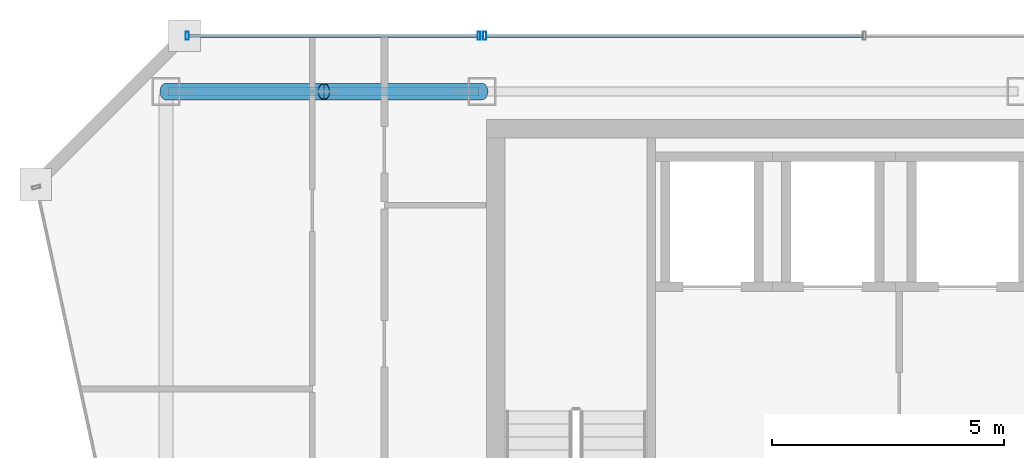
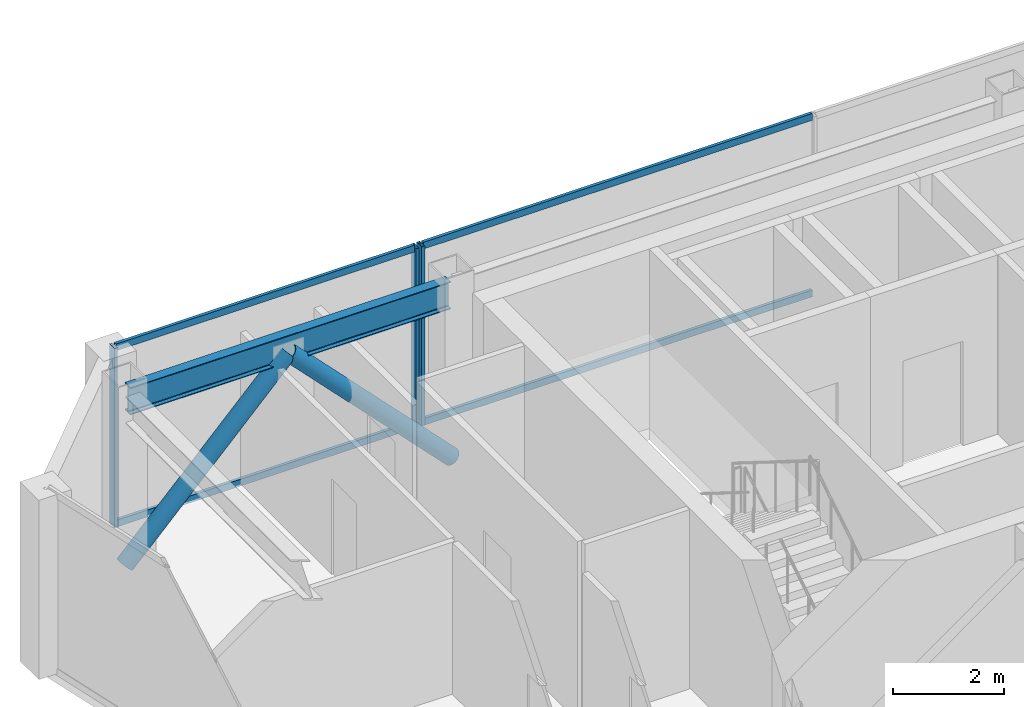
# One storey, part 6 of 20: 9 members, 1 beam, 2 elements without a shape of their own.
"""IFC4 building model written with IfcOpenShell, lengths in metres."""

from ifc_helpers import new_model, si_unit, direction, frame, origin, origin_2d, place, context, subcontext, project, spatial, hollow_rectangle, hollow_circle, i_section, extrude, material, material_profile, profile_set, type_object, element, aggregate, save


model = new_model("IFC4")

# Units and contexts
model_context = context("Model", 3, precision=1e-05, world=origin(), true_north=direction((0.0, 1.0)))
body_context = subcontext(model_context, "Body", "Model", "MODEL_VIEW")
ifc_project = project(units=[si_unit("LENGTHUNIT", "METRE"), si_unit("AREAUNIT", "SQUARE_METRE"), si_unit("VOLUMEUNIT", "CUBIC_METRE"), si_unit("PLANEANGLEUNIT", "RADIAN"), si_unit("MASSUNIT", "GRAM", prefix="KILO")], contexts=[model_context])

# Site, building, storey
site_placement = place(None, origin())
site = spatial("IfcSite", under=ifc_project, at=site_placement, CompositionType="ELEMENT")
building_placement = place(site_placement, origin())
building = spatial("IfcBuilding", under=site, at=building_placement, Name="Saevonmaru Cultural Tower", CompositionType="ELEMENT")
storey_placement = place(building_placement, frame((0.0, 0.0, 319.199951171875)))
storey = spatial("IfcBuildingStorey", under=building, at=storey_placement, Name="L76", CompositionType="ELEMENT", Elevation=319.199951171875)

# Beam
ifc_material_1 = material(Name="Steel SM355", Category="steel")
ifc_material_profile_1 = material_profile(ifc_material_1, i_section(OverallWidth=0.199951171875, OverallDepth=0.60009765625, WebThickness=0.010986328125, FlangeThickness=0.01708984375, FilletRadius=0.02197265625, at=origin_2d()), Name="H-600x200x11x17")
ifc_profile_set_1 = profile_set([ifc_material_profile_1], Name="Steel SM355")
beam_type = type_object("IfcBeamType", Name="BM-SP-H600", PredefinedType="SPANDREL", material=ifc_profile_set_1)
beam_placement = place(storey_placement, frame((6.860107421875, 54.800048828125, 3.650146484375), z_axis=(1.0, 0.0, 0.0), x_axis=(0.0, 1.0, 0.0)))
element("IfcBeam", 1, at=beam_placement, inside=storey, type_object=beam_type, Name="L76 North Spine Girder 1", PredefinedType="SPANDREL", context=body_context, shape_type="SweptSolid", body=[
    extrude(i_section(OverallWidth=0.199951171875, OverallDepth=0.60009765625, WebThickness=0.010986328125, FlangeThickness=0.01708984375, FilletRadius=0.02197265625, at=origin_2d()), origin(), (0.0, 0.0, 1.0), 6.679931640625),
])

# Members
ifc_material_profile_2 = material_profile(ifc_material_1, hollow_circle(Radius=0.177734375, WallThickness=0.01611328125, at=origin_2d()), Name="CHS-355.6x16")
ifc_profile_set_2 = profile_set([ifc_material_profile_2], Name="Steel SM355")
member_type_1 = type_object("IfcMemberType", Name="MB-PBR-CHS356", PredefinedType="BRACE", material=ifc_profile_set_2)
member_1_placement = place(storey_placement, frame((6.800048828125, 54.800048828125, 0.02001953125), z_axis=(0.696775387372, 0.0, 0.71728938341), x_axis=(0.0, 1.0, 0.0)))
element("IfcMember", 2, at=member_1_placement, inside=storey, type_object=member_type_1, Name="L76 Perimeter Braced-Tube Diagonal WN1", PredefinedType="BRACE", context=body_context, shape_type="SweptSolid", body=[
    extrude(hollow_circle(Radius=0.177734375, WallThickness=0.01611328125, at=origin_2d()), origin(), (0.0, 0.0, 1.0), 4.87939453125),
])
member_2_placement = place(storey_placement, frame((13.60009765625, 54.800048828125, 0.02001953125), z_axis=(-0.696801128792, 0.0, 0.717264377279), x_axis=(0.0, -1.0, 0.0)))
element("IfcMember", 3, at=member_2_placement, inside=storey, type_object=member_type_1, Name="L76 Perimeter Braced-Tube Diagonal WN2", PredefinedType="BRACE", context=body_context, shape_type="SweptSolid", body=[
    extrude(hollow_circle(Radius=0.177734375, WallThickness=0.01611328125, at=origin_2d()), origin(), (0.0, 0.0, 1.0), 4.879638671875),
])

# Curtain wall, member
ifc_material_2 = material(Name="Satin Bronze Anodised Aluminium", Category="aluminium")
curtain_wall_type = type_object("IfcCurtainWallType", Name="CW-SKY-GLZ", PredefinedType="NOTDEFINED", material=ifc_material_2)
curtain_wall_1_placement = place(storey_placement, origin())
curtain_wall_1 = element("IfcCurtainWall", 4, at=curtain_wall_1_placement, inside=storey, type_object=curtain_wall_type, Name="L76 North Spine Unitised Curtain Wall E10B", PredefinedType="NOTDEFINED")
ifc_material_profile_3 = material_profile(ifc_material_2, hollow_rectangle(XDim=0.06494140625, YDim=0.179931640625, WallThickness=0.00390625, at=origin_2d()), Name="ALU-MULL-180x65x4")
ifc_profile_set_3 = profile_set([ifc_material_profile_3], Name="Satin Bronze Anodised Aluminium")
member_type_2 = type_object("IfcMemberType", Name="ML-CW-180x65", PredefinedType="MULLION", material=ifc_profile_set_3)
member_3_placement = place(storey_placement, frame((13.659912109375, 56.0, 0.0), z_axis=(0.0, 0.0, 1.0), x_axis=(-1.0, 0.0, 0.0)))
member_3 = element("IfcMember", 5, at=member_3_placement, type_object=member_type_2, Name="CW-TW-L76-E10B mullion 5", PredefinedType="MULLION", context=body_context, shape_type="SweptSolid", body=[
    extrude(hollow_rectangle(XDim=0.06494140625, YDim=0.179931640625, WallThickness=0.00390625, at=origin_2d()), origin(), (0.0, 0.0, 1.0), 3.949951171875),
])

# Curtain wall, members
curtain_wall_2_placement = place(storey_placement, origin())
curtain_wall_2 = element("IfcCurtainWall", 6, at=curtain_wall_2_placement, inside=storey, type_object=curtain_wall_type, Name="L76 West Braced Bay Spandrel Curtain Wall E10C", PredefinedType="NOTDEFINED")
member_4_placement = place(storey_placement, frame((13.5400390625, 56.0, 0.0), z_axis=(0.0, 0.0, 1.0), x_axis=(-1.0, 0.0, 0.0)))
member_4 = element("IfcMember", 7, at=member_4_placement, type_object=member_type_2, Name="CW-TW-L76-E10C mullion 1", PredefinedType="MULLION", context=body_context, shape_type="SweptSolid", body=[
    extrude(hollow_rectangle(XDim=0.06494140625, YDim=0.179931640625, WallThickness=0.00390625, at=origin_2d()), origin(), (0.0, 0.0, 1.0), 3.949951171875),
])
member_5_placement = place(storey_placement, frame((7.260009765625, 56.0, 0.0), z_axis=(0.0, 0.0, 1.0), x_axis=(-1.0, 0.0, 0.0)))
member_5 = element("IfcMember", 8, at=member_5_placement, type_object=member_type_2, Name="CW-TW-L76-E10C mullion 2", PredefinedType="MULLION", context=body_context, shape_type="SweptSolid", body=[
    extrude(hollow_rectangle(XDim=0.06494140625, YDim=0.179931640625, WallThickness=0.00390625, at=origin_2d()), origin(), (0.0, 0.0, 1.0), 3.949951171875),
])

# Member
ifc_material_profile_4 = material_profile(ifc_material_2, hollow_rectangle(XDim=0.06494140625, YDim=0.14990234375, WallThickness=0.00390625, at=origin_2d()), Name="ALU-TRAN-150x65x4")
ifc_profile_set_4 = profile_set([ifc_material_profile_4], Name="Satin Bronze Anodised Aluminium")
member_type_3 = type_object("IfcMemberType", Name="TR-CW-150x65", PredefinedType="USERDEFINED", material=ifc_profile_set_4)
member_6_placement = place(storey_placement, frame((21.797607421875, 56.0, 0.032470703125), z_axis=(-1.0, 0.0, 0.0), x_axis=(0.0, -1.0, 0.0)))
member_6 = element("IfcMember", 9, at=member_6_placement, type_object=member_type_3, Name="CW-TW-L76-E10B transom 4.1", ObjectType="TRANSOM", PredefinedType="USERDEFINED", context=body_context, shape_type="SweptSolid", body=[
    extrude(hollow_rectangle(XDim=0.06494140625, YDim=0.14990234375, WallThickness=0.00390625, at=origin_2d()), origin(), (0.0, 0.0, 1.0), 8.105224609375),
])

member_7_placement = place(storey_placement, frame((21.797607421875, 56.0, 3.91748046875), z_axis=(-1.0, 0.0, 0.0), x_axis=(0.0, -1.0, 0.0)))
member_7 = element("IfcMember", 10, at=member_7_placement, type_object=member_type_3, Name="CW-TW-L76-E10B transom 4.2", ObjectType="TRANSOM", PredefinedType="USERDEFINED", context=body_context, shape_type="SweptSolid", body=[
    extrude(hollow_rectangle(XDim=0.06494140625, YDim=0.14990234375, WallThickness=0.00390625, at=origin_2d()), origin(), (0.0, 0.0, 1.0), 8.105224609375),
])

aggregate(curtain_wall_1, [member_3, member_6, member_7])

member_8_placement = place(storey_placement, frame((13.507568359375, 56.0, 0.032470703125), z_axis=(-1.0, 0.0, 0.0), x_axis=(0.0, -1.0, 0.0)))
member_8 = element("IfcMember", 11, at=member_8_placement, type_object=member_type_3, Name="CW-TW-L76-E10C transom 1.1", ObjectType="TRANSOM", PredefinedType="USERDEFINED", context=body_context, shape_type="SweptSolid", body=[
    extrude(hollow_rectangle(XDim=0.06494140625, YDim=0.14990234375, WallThickness=0.00390625, at=origin_2d()), origin(), (0.0, 0.0, 1.0), 6.215087890625),
])

member_9_placement = place(storey_placement, frame((13.507568359375, 56.0, 3.91748046875), z_axis=(-1.0, 0.0, 0.0), x_axis=(0.0, -1.0, 0.0)))
member_9 = element("IfcMember", 12, at=member_9_placement, type_object=member_type_3, Name="CW-TW-L76-E10C transom 1.2", ObjectType="TRANSOM", PredefinedType="USERDEFINED", context=body_context, shape_type="SweptSolid", body=[
    extrude(hollow_rectangle(XDim=0.06494140625, YDim=0.14990234375, WallThickness=0.00390625, at=origin_2d()), origin(), (0.0, 0.0, 1.0), 6.215087890625),
])

aggregate(curtain_wall_2, [member_4, member_5, member_8, member_9])

save(model, "model.ifc")
